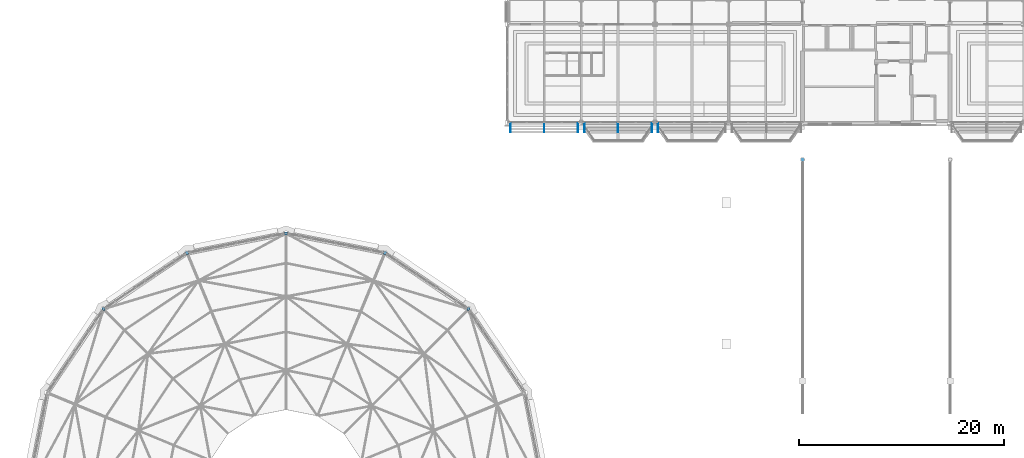
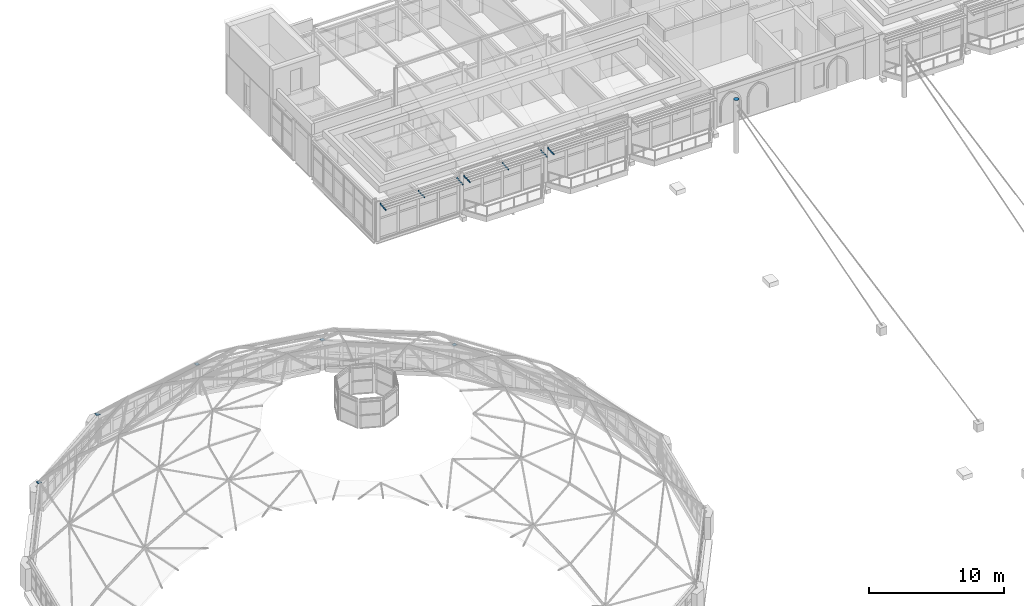
# One storey, part 56 of 68: 13 discrete accessories.
"""IFC4 building model written with IfcOpenShell, lengths in metres."""

import ifcopenshell
import ifcopenshell.guid

model = None  # the IFC model being written
_history = None  # IfcOwnerHistory: only IFC2X3 demands one
_inside = {}  # id of a spatial element -> (the spatial element, [elements in it])
_under = {}  # id of a project, library or spatial element -> (it, [spatial elements below it])
_declared = {}  # id of a project -> (the project, [libraries it declares])
_typed = {}  # id of a type object -> (the type object, [elements of that type])
_made_of = {}  # id of a material, layer set ... -> (it, [elements and type objects made of it])


def new_model(schema):
    """Start an empty IFC model of exactly this schema.

    Asked for "IFC4X3", IfcOpenShell would pick the latest addendum, in which some entities
    have other attributes; the version numbers below select the first issue.
    IFC2X3 requires an IfcOwnerHistory on every rooted entity: one is made here for all.
    """
    global model, _history
    if schema == "IFC4X3":
        model = ifcopenshell.file(schema_version=(4, 3, 0, 0))
    else:
        model = ifcopenshell.file(schema=schema)
    _inside.clear()
    _under.clear()
    _declared.clear()
    _typed.clear()
    _made_of.clear()
    _history = None
    if model.schema == "IFC2X3":
        org = make("IfcOrganization", Name="unknown")
        user = make(
            "IfcPersonAndOrganization",
            ThePerson=make("IfcPerson", FamilyName="unknown"),
            TheOrganization=org,
        )
        app = make(
            "IfcApplication",
            ApplicationDeveloper=org,
            Version="unknown",
            ApplicationFullName="unknown",
            ApplicationIdentifier="unknown",
        )
        _history = make(
            "IfcOwnerHistory",
            OwningUser=user,
            OwningApplication=app,
            ChangeAction="ADDED",
            CreationDate=0,
        )
    return model


def make(cls, **values):
    """One entity of the class cls with the attributes given. An attribute that is None is left unset."""
    return model.create_entity(
        cls, **{name: value for name, value in values.items() if value is not None}
    )


def rooted(cls, **values):
    """An entity with a GlobalId (a new one), such as an element, a storey or a relation."""
    return make(cls, GlobalId=ifcopenshell.guid.new(), OwnerHistory=_history, **values)


def si_unit(unit_type, name, prefix=None):
    """IfcSIUnit, for example si_unit("LENGTHUNIT", "METRE", prefix="MILLI")."""
    return make("IfcSIUnit", UnitType=unit_type, Prefix=prefix, Name=name)


def assignment(units):
    """IfcUnitAssignment: the units of a project."""
    return None if units is None else make("IfcUnitAssignment", Units=units)


def point(xyz):
    """IfcCartesianPoint."""
    return None if xyz is None else make("IfcCartesianPoint", Coordinates=xyz)


def direction(xyz):
    """IfcDirection."""
    return None if xyz is None else make("IfcDirection", DirectionRatios=xyz)


def frame(location, z_axis=None, x_axis=None):
    """IfcAxis2Placement3D, a coordinate frame: its origin and axes. An axis left out is left unset."""
    return make(
        "IfcAxis2Placement3D",
        Location=point(location),
        Axis=direction(z_axis),
        RefDirection=direction(x_axis),
    )


def frame_2d(location, x_axis=None):
    """IfcAxis2Placement2D, a coordinate frame in the plane: its origin and x axis."""
    return make(
        "IfcAxis2Placement2D", Location=point(location), RefDirection=direction(x_axis)
    )


def origin():
    """The frame at (0, 0, 0) with its axes left unset."""
    return frame((0.0, 0.0, 0.0))


def origin_2d():
    """The frame at (0, 0) in the plane with its x axis left unset."""
    return frame_2d((0.0, 0.0))


def place(relative_to, where):
    """IfcLocalPlacement: puts the frame where relative to a parent placement (None: the world)."""
    return make(
        "IfcLocalPlacement", PlacementRelTo=relative_to, RelativePlacement=where
    )


def context(
    kind, dimensions, precision=None, world=None, true_north=None, identifier=None
):
    """IfcGeometricRepresentationContext, for example the 3D "Model" context."""
    return make(
        "IfcGeometricRepresentationContext",
        ContextIdentifier=identifier,
        ContextType=kind,
        CoordinateSpaceDimension=dimensions,
        Precision=precision,
        WorldCoordinateSystem=world,
        TrueNorth=true_north,
    )


def subcontext(parent, identifier, kind, view, scale=None):
    """IfcGeometricRepresentationSubContext, for example "Body" below "Model"."""
    return make(
        "IfcGeometricRepresentationSubContext",
        ContextIdentifier=identifier,
        ContextType=kind,
        ParentContext=parent,
        TargetScale=scale,
        TargetView=view,
    )


def project(units=None, contexts=None):
    """IfcProject with its units and contexts."""
    return rooted(
        "IfcProject",
        Name="project",
        RepresentationContexts=contexts,
        UnitsInContext=assignment(units),
    )


def spatial(cls, under=None, at=None, **own):
    """A site, building, storey or space (cls), placed at a placement, below another one or the project."""
    s = rooted(cls, ObjectPlacement=at, **own)
    if under is not None:
        _under.setdefault(under.id(), (under, []))[1].append(s)
    return s


def profile(cls, at=None, kind="AREA", **sizes):
    """A parametric profile (cls). Its sizes go by their IFC names, for example OverallWidth=200.0."""
    return make(cls, ProfileType=kind, Position=at, **sizes)


def rectangle(**sizes):
    """IfcRectangleProfileDef."""
    return profile("IfcRectangleProfileDef", **sizes)


def circle(**sizes):
    """IfcCircleProfileDef."""
    return profile("IfcCircleProfileDef", **sizes)


def extrude(swept, where, along, depth):
    """IfcExtrudedAreaSolid: the profile swept, set in the frame where, extruded along a direction by depth."""
    return make(
        "IfcExtrudedAreaSolid",
        SweptArea=swept,
        Position=where,
        ExtrudedDirection=direction(along),
        Depth=depth,
    )


def shape(context_of_items, identifier, shape_type, items):
    """IfcShapeRepresentation: the items that make up one representation, for example the "Body"."""
    return make(
        "IfcShapeRepresentation",
        ContextOfItems=context_of_items,
        RepresentationIdentifier=identifier,
        RepresentationType=shape_type,
        Items=items,
    )


def material(Name=None, Category=None):
    """IfcMaterial."""
    return make("IfcMaterial", Name=Name, Category=Category)


def layer(
    of_material, thickness, ventilated=None, Name=None, Category=None, Priority=None
):
    """IfcMaterialLayer: one layer of a wall or slab, of a material (None: an air gap)."""
    return make(
        "IfcMaterialLayer",
        Material=of_material,
        LayerThickness=thickness,
        IsVentilated=ventilated,
        Name=Name,
        Category=Category,
        Priority=Priority,
    )


def layer_set(layers, Name=None):
    """IfcMaterialLayerSet."""
    return make("IfcMaterialLayerSet", MaterialLayers=layers, LayerSetName=Name)


def made_of(thing, what):
    """Note that an element or type object is made of a material, layer set ...; save() writes the relation."""
    if what is not None:
        _made_of.setdefault(what.id(), (what, []))[1].append(thing)
    return thing


def type_object(cls, material=None, **own):
    """A type object (cls), such as IfcWallType, which elements share."""
    return made_of(rooted(cls, **own), material)


def element(
    cls,
    number,
    at=None,
    inside=None,
    cuts=None,
    type_object=None,
    material=None,
    context=None,
    identifier="Body",
    shape_type=None,
    held_by="IfcProductDefinitionShape",
    body=None,
    shapes=None,
    **own,
):
    """One element of the class cls, such as IfcWall. Its Tag is "e" and its number.

    at: its placement. inside: the storey or other place that contains it. cuts: it is an
    opening in that element (IfcRelVoidsElement). A single representation is given by context,
    identifier, shape_type and body (its items); several are given by shapes. held_by: the class
    of the entity that holds the representations. save() writes the other relations.
    """
    e = rooted(cls, Tag="e%d" % number, ObjectPlacement=at, **own)
    if body is not None:
        shapes = [shape(context, identifier, shape_type, body)]
    if shapes is not None:
        e.Representation = make(held_by, Representations=shapes)
    if inside is not None:
        _inside.setdefault(inside.id(), (inside, []))[1].append(e)
    if cuts is not None:
        rooted(
            "IfcRelVoidsElement", RelatingBuildingElement=cuts, RelatedOpeningElement=e
        )
    if type_object is not None:
        _typed.setdefault(type_object.id(), (type_object, []))[1].append(e)
    return made_of(e, material)


def aggregate(whole, parts):
    """IfcRelAggregates: a whole, such as a stair, and the parts it consists of."""
    return rooted("IfcRelAggregates", RelatingObject=whole, RelatedObjects=parts)


def save(model, path):
    """Write the relations noted so far, then the file.

    IfcRelAggregates (storeys below a building ...), IfcRelContainedInSpatialStructure (elements
    in a storey), IfcRelDefinesByType, IfcRelAssociatesMaterial and IfcRelDeclares: one each for
    every whole, place, type object, material and project.
    """
    for whole, parts in _under.values():
        aggregate(whole, parts)
    for where, things in _inside.values():
        rooted(
            "IfcRelContainedInSpatialStructure",
            RelatedElements=things,
            RelatingStructure=where,
        )
    for kind, things in _typed.values():
        rooted("IfcRelDefinesByType", RelatedObjects=things, RelatingType=kind)
    for what, things in _made_of.values():
        rooted("IfcRelAssociatesMaterial", RelatedObjects=things, RelatingMaterial=what)
    for by, libraries in _declared.values():
        rooted("IfcRelDeclares", RelatingContext=by, RelatedDefinitions=libraries)
    model.write(path)


model = new_model("IFC4")

# Units and contexts
model_context = context("Model", 3, precision=1e-05, world=origin(), true_north=direction((0.0, 1.0)))
body_context = subcontext(model_context, "Body", "Model", "MODEL_VIEW")
ifc_project = project(units=[si_unit("LENGTHUNIT", "METRE"), si_unit("AREAUNIT", "SQUARE_METRE"), si_unit("VOLUMEUNIT", "CUBIC_METRE"), si_unit("PLANEANGLEUNIT", "RADIAN"), si_unit("MASSUNIT", "GRAM", prefix="KILO")], contexts=[model_context])

# Site, building, storey
site_placement = place(None, origin())
site = spatial("IfcSite", under=ifc_project, at=site_placement, CompositionType="ELEMENT")
building_placement = place(site_placement, origin())
building = spatial("IfcBuilding", under=site, at=building_placement, Name="Kupolbacken Congress Centre", CompositionType="ELEMENT")
storey_placement = place(building_placement, frame((0.0, 0.0, 25.199951171875)))
storey = spatial("IfcBuildingStorey", under=building, at=storey_placement, Name="L07", CompositionType="ELEMENT", Elevation=25.199951171875)

# Discrete accessories
ifc_material_1 = material(Name="Steel S355", Category="steel")
ifc_layer_1 = layer(ifc_material_1, 0.011962890625)
ifc_layer_set_1 = layer_set([ifc_layer_1], Name="Steel S355")
discrete_accessory_type_1 = type_object("IfcDiscreteAccessoryType", Name="BK1 bracket 150 x 150 x 12", PredefinedType="BRACKET", material=ifc_layer_set_1)
for number, where, z_axis, x_axis, name in (
    (1, (65.10009765625, 121.909912109375, 3.070068359375), (0.0, 0.0, 1.0), (1.0, 0.0, 0.0), "Brise-soleil arm"),
    (2, (68.398193359375, 121.909912109375, 3.070068359375), (0.0, 0.0, 1.0), (1.0, 0.0, 0.0), "Brise-soleil arm"),
    (3, (71.696533203125, 121.909912109375, 3.070068359375), (0.0, 0.0, 1.0), (1.0, 0.0, 0.0), "Brise-soleil arm"),
    (4, (72.303466796875, 121.909912109375, 3.070068359375), (0.0, 0.0, 1.0), (1.0, 0.0, 0.0), "Brise-soleil arm"),
    (5, (75.60009765625, 121.909912109375, 3.070068359375), (0.0, 0.0, 1.0), (1.0, 0.0, 0.0), "Brise-soleil arm"),
    (6, (78.896484375, 121.909912109375, 3.070068359375), (0.0, 0.0, 1.0), (1.0, 0.0, 0.0), "Brise-soleil arm"),
    (7, (79.50341796875, 121.909912109375, 3.070068359375), (0.0, 0.0, 1.0), (1.0, 0.0, 0.0), "Brise-soleil arm"),
):
    element("IfcDiscreteAccessory", number, at=place(storey_placement, frame(where, z_axis=z_axis, x_axis=x_axis)), inside=storey, type_object=discrete_accessory_type_1, Name=name, PredefinedType="BRACKET", context=body_context, shape_type="SweptSolid", body=[
        extrude(rectangle(XDim=0.0400390625, YDim=0.919921875, at=origin_2d()), origin(), (0.0, 0.0, 1.0), 0.1201171875),
    ])
ifc_material_2 = material(Name="Steel S355", Category="steel")
ifc_layer_2 = layer(ifc_material_2, 0.011962890625)
ifc_layer_set_2 = layer_set([ifc_layer_2], Name="Steel S355")
discrete_accessory_type_2 = type_object("IfcDiscreteAccessoryType", Name="BK5 rib foot plate 300 x 300 x 12", PredefinedType="BRACKET", material=ifc_layer_set_2)
for number, where, z_axis, x_axis, name in (
    (8, (61.01904296875, 104.218994140625, 2.7900390625), (0.0, 0.0, 1.0), (1.0, 0.0, 0.0), "Dome rib foot plate RIB01-03"),
    (9, (52.843505859375, 109.681884765625, 2.7900390625), (0.0, 0.0, 1.0), (1.0, 0.0, 0.0), "Dome rib foot plate RIB01-04"),
    (10, (43.199951171875, 111.60009765625, 2.7900390625), (0.0, 0.0, 1.0), (1.0, 0.0, 0.0), "Dome rib foot plate RIB01-05"),
    (11, (33.556396484375, 109.681884765625, 2.7900390625), (0.0, 0.0, 1.0), (1.0, 0.0, 0.0), "Dome rib foot plate RIB01-06"),
    (12, (25.380859375, 104.218994140625, 2.7900390625), (0.0, 0.0, 1.0), (1.0, 0.0, 0.0), "Dome rib foot plate RIB01-07"),
):
    element("IfcDiscreteAccessory", number, at=place(storey_placement, frame(where, z_axis=z_axis, x_axis=x_axis)), inside=storey, type_object=discrete_accessory_type_2, Name=name, PredefinedType="BRACKET", context=body_context, shape_type="SweptSolid", body=[
        extrude(rectangle(XDim=0.300048828125, YDim=0.300048828125, at=origin_2d()), origin(), (0.0, 0.0, 1.0), 0.011962890625),
    ])
ifc_material_3 = material(Name="Steel S355", Category="steel")
ifc_layer_3 = layer(ifc_material_3, 0.02001953125)
ifc_layer_set_3 = layer_set([ifc_layer_3], Name="Steel S355")
discrete_accessory_type_3 = type_object("IfcDiscreteAccessoryType", Name="EC1 mast head cap plate 406 dia x 20", PredefinedType="BRACKET", material=ifc_layer_set_3)
discrete_accessory_placement = place(storey_placement, frame((93.60009765625, 118.800048828125, 4.800048828125), z_axis=(0.0, 0.0, 1.0), x_axis=(1.0, 0.0, 0.0)))
element("IfcDiscreteAccessory", 13, at=discrete_accessory_placement, inside=storey, type_object=discrete_accessory_type_3, Name="End cap plate Roof mast M1N", PredefinedType="BRACKET", context=body_context, shape_type="SweptSolid", body=[
    extrude(circle(Radius=0.203125, at=origin_2d()), origin(), (0.0, 0.0, 1.0), 0.02001953125),
])

save(model, "model.ifc")
